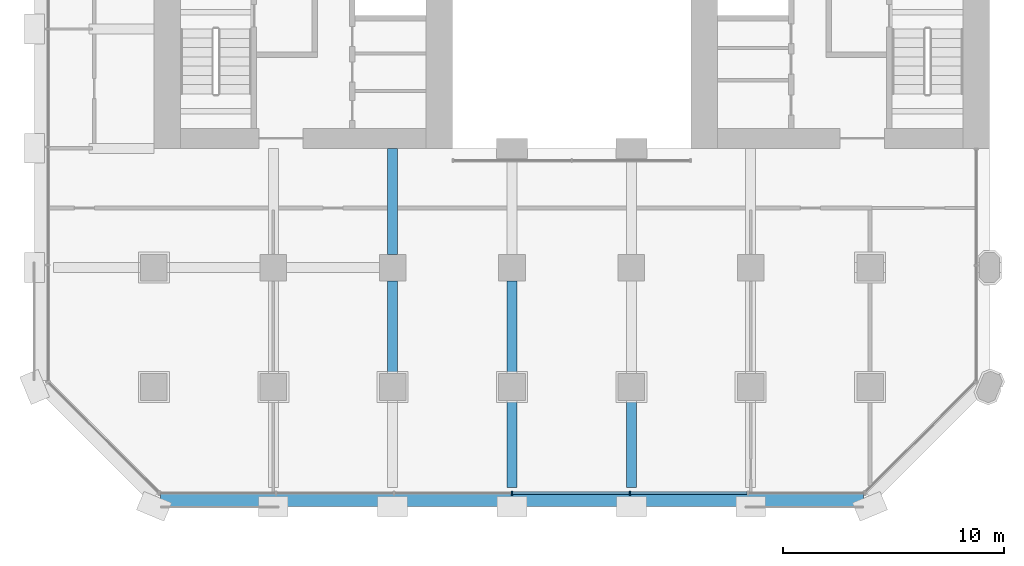
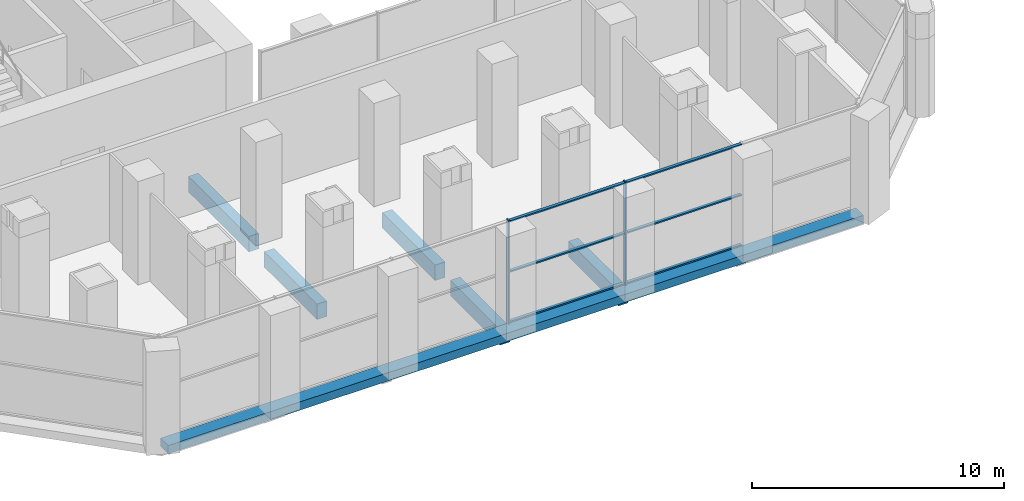
# One storey, part 3 of 27: 8 members, 6 beams, 1 element without a shape of its own.
"""IFC4 building model written with IfcOpenShell, lengths in metres."""

from ifc_helpers import new_model, si_unit, direction, frame, origin, origin_2d, place, context, subcontext, project, spatial, rectangle, extrude, material, material_profile, profile_set, type_object, element, aggregate, save


model = new_model("IFC4")

# Units and contexts
model_context = context("Model", 3, precision=1e-05, world=origin(), true_north=direction((0.0, 1.0)))
body_context = subcontext(model_context, "Body", "Model", "MODEL_VIEW")
ifc_project = project(units=[si_unit("LENGTHUNIT", "METRE"), si_unit("AREAUNIT", "SQUARE_METRE"), si_unit("VOLUMEUNIT", "CUBIC_METRE"), si_unit("PLANEANGLEUNIT", "RADIAN"), si_unit("MASSUNIT", "GRAM", prefix="KILO")], contexts=[model_context])

# Site, building, storey
site_placement = place(None, origin())
site = spatial("IfcSite", under=ifc_project, at=site_placement, CompositionType="ELEMENT")
building_placement = place(site_placement, origin())
building = spatial("IfcBuilding", under=site, at=building_placement, Name="Tabaq Tower and Sports Hall", CompositionType="ELEMENT")
storey_placement = place(building_placement, frame((0.0, 0.0, 14.39990234375)))
storey = spatial("IfcBuildingStorey", under=building, at=storey_placement, Name="L02", CompositionType="ELEMENT", Elevation=14.39990234375)

# Curtain wall, members
ifc_material_1 = material(Name="Aluminium alloy 6063-T6 framed glazing", Category="aluminium")
curtain_wall_type = type_object("IfcCurtainWallType", Name="CW7 curtain wall", PredefinedType="USERDEFINED", material=ifc_material_1)
curtain_wall_placement = place(storey_placement, origin())
curtain_wall = element("IfcCurtainWall", 1, at=curtain_wall_placement, inside=storey, type_object=curtain_wall_type, Name="Podium Wall L02 S", ObjectType="PODIUM WALL", PredefinedType="USERDEFINED")
ifc_material_2 = material(Name="Aluminium alloy 6063-T6", Category="aluminium")
ifc_material_profile_1 = material_profile(ifc_material_2, rectangle(XDim=0.179931640625, YDim=0.06494140625, at=origin_2d()), Name="MULLION 180x65")
ifc_profile_set_1 = profile_set([ifc_material_profile_1], Name="Aluminium alloy 6063-T6")
member_type_1 = type_object("IfcMemberType", Name="CW7 mullion 180x65", PredefinedType="MULLION", material=ifc_profile_set_1)
member_1_placement = place(storey_placement, frame((21.60009765625, 0.60009765625, 0.0), z_axis=(0.0, 0.0, 1.0), x_axis=(0.0, 1.0, 0.0)))
member_1 = element("IfcMember", 2, at=member_1_placement, type_object=member_type_1, Name="CW7 mullion 4", PredefinedType="MULLION", context=body_context, shape_type="SweptSolid", body=[
    extrude(rectangle(XDim=0.179931640625, YDim=0.06494140625, at=origin_2d()), origin(), (0.0, 0.0, 1.0), 5.0),
])
member_2_placement = place(storey_placement, frame((26.93798828125, 0.60009765625, 0.0), z_axis=(0.0, 0.0, 1.0), x_axis=(0.0, 1.0, 0.0)))
member_2 = element("IfcMember", 3, at=member_2_placement, type_object=member_type_1, Name="CW7 mullion 5", PredefinedType="MULLION", context=body_context, shape_type="SweptSolid", body=[
    extrude(rectangle(XDim=0.179931640625, YDim=0.06494140625, at=origin_2d()), origin(), (0.0, 0.0, 1.0), 5.0),
])
ifc_material_3 = material(Name="Aluminium alloy 6063-T6", Category="aluminium")
ifc_material_profile_2 = material_profile(ifc_material_3, rectangle(XDim=0.139892578125, YDim=0.06494140625, at=origin_2d()), Name="TRANSOM 140x65")
ifc_profile_set_2 = profile_set([ifc_material_profile_2], Name="Aluminium alloy 6063-T6")
member_type_2 = type_object("IfcMemberType", Name="CW7 transom 140x65", PredefinedType="USERDEFINED", material=ifc_profile_set_2)
member_3_placement = place(storey_placement, frame((21.632568359375, 0.60009765625, 0.070068359375), z_axis=(1.0, 0.0, 0.0), x_axis=(0.0, 1.0, 0.0)))
member_3 = element("IfcMember", 4, at=member_3_placement, type_object=member_type_2, Name="CW7 transom 4.1", ObjectType="TRANSOM", PredefinedType="USERDEFINED", context=body_context, shape_type="SweptSolid", body=[
    extrude(rectangle(XDim=0.139892578125, YDim=0.06494140625, at=origin_2d()), origin(), (0.0, 0.0, 1.0), 5.272705078125),
])
member_4_placement = place(storey_placement, frame((21.632568359375, 0.60009765625, 2.5), z_axis=(1.0, 0.0, 0.0), x_axis=(0.0, 1.0, 0.0)))
member_4 = element("IfcMember", 5, at=member_4_placement, type_object=member_type_2, Name="CW7 transom 4.2", ObjectType="TRANSOM", PredefinedType="USERDEFINED", context=body_context, shape_type="SweptSolid", body=[
    extrude(rectangle(XDim=0.139892578125, YDim=0.06494140625, at=origin_2d()), origin(), (0.0, 0.0, 1.0), 5.272705078125),
])
member_5_placement = place(storey_placement, frame((21.632568359375, 0.60009765625, 4.93017578125), z_axis=(1.0, 0.0, 0.0), x_axis=(0.0, 1.0, 0.0)))
member_5 = element("IfcMember", 6, at=member_5_placement, type_object=member_type_2, Name="CW7 transom 4.3", ObjectType="TRANSOM", PredefinedType="USERDEFINED", context=body_context, shape_type="SweptSolid", body=[
    extrude(rectangle(XDim=0.139892578125, YDim=0.06494140625, at=origin_2d()), origin(), (0.0, 0.0, 1.0), 5.272705078125),
])
member_6_placement = place(storey_placement, frame((26.970458984375, 0.60009765625, 0.070068359375), z_axis=(1.0, 0.0, 0.0), x_axis=(0.0, 1.0, 0.0)))
member_6 = element("IfcMember", 7, at=member_6_placement, type_object=member_type_2, Name="CW7 transom 5.1", ObjectType="TRANSOM", PredefinedType="USERDEFINED", context=body_context, shape_type="SweptSolid", body=[
    extrude(rectangle(XDim=0.139892578125, YDim=0.06494140625, at=origin_2d()), origin(), (0.0, 0.0, 1.0), 5.272705078125),
])
member_7_placement = place(storey_placement, frame((26.970458984375, 0.60009765625, 2.5), z_axis=(1.0, 0.0, 0.0), x_axis=(0.0, 1.0, 0.0)))
member_7 = element("IfcMember", 8, at=member_7_placement, type_object=member_type_2, Name="CW7 transom 5.2", ObjectType="TRANSOM", PredefinedType="USERDEFINED", context=body_context, shape_type="SweptSolid", body=[
    extrude(rectangle(XDim=0.139892578125, YDim=0.06494140625, at=origin_2d()), origin(), (0.0, 0.0, 1.0), 5.272705078125),
])
member_8_placement = place(storey_placement, frame((26.970458984375, 0.60009765625, 4.93017578125), z_axis=(1.0, 0.0, 0.0), x_axis=(0.0, 1.0, 0.0)))
member_8 = element("IfcMember", 9, at=member_8_placement, type_object=member_type_2, Name="CW7 transom 5.3", ObjectType="TRANSOM", PredefinedType="USERDEFINED", context=body_context, shape_type="SweptSolid", body=[
    extrude(rectangle(XDim=0.139892578125, YDim=0.06494140625, at=origin_2d()), origin(), (0.0, 0.0, 1.0), 5.272705078125),
])
aggregate(curtain_wall, [member_1, member_2, member_3, member_4, member_5, member_6, member_7, member_8])

# Beams
ifc_material_4 = material(Name="Concrete C40/50", Category="concrete")
ifc_material_profile_3 = material_profile(ifc_material_4, rectangle(XDim=0.449951171875, YDim=0.75, at=origin_2d()), Name="CB 450x750")
ifc_profile_set_3 = profile_set([ifc_material_profile_3], Name="Concrete C40/50")
beam_type_1 = type_object("IfcBeamType", Name="PT CANTILEVER BEAM CB 450x750 C40/50", PredefinedType="BEAM", material=ifc_profile_set_3)
beam_1_placement = place(storey_placement, frame((16.199951171875, 6.0, -0.77490234375), z_axis=(0.0, 1.0, 0.0), x_axis=(-1.0, 0.0, 0.0)))
element("IfcBeam", 10, at=beam_1_placement, inside=storey, type_object=beam_type_1, Name="Cantilever Beam L02 S3 span 2", PredefinedType="BEAM", context=body_context, shape_type="SweptSolid", body=[
    extrude(rectangle(XDim=0.449951171875, YDim=0.75, at=origin_2d()), origin(), (0.0, 0.0, 1.0), 4.199951171875),
])
beam_2_placement = place(storey_placement, frame((16.199951171875, 11.39990234375, -0.77490234375), z_axis=(0.0, 1.0, 0.0), x_axis=(-1.0, 0.0, 0.0)))
element("IfcBeam", 11, at=beam_2_placement, inside=storey, type_object=beam_type_1, Name="Cantilever Beam L02 S3 span 3", PredefinedType="BEAM", context=body_context, shape_type="SweptSolid", body=[
    extrude(rectangle(XDim=0.449951171875, YDim=0.75, at=origin_2d()), origin(), (0.0, 0.0, 1.0), 4.800048828125),
])
beam_3_placement = place(storey_placement, frame((21.60009765625, 0.85009765625, -0.77490234375), z_axis=(0.0, 1.0, 0.0), x_axis=(-1.0, 0.0, 0.0)))
element("IfcBeam", 12, at=beam_3_placement, inside=storey, type_object=beam_type_1, Name="Cantilever Beam L02 S4 span 1", PredefinedType="BEAM", context=body_context, shape_type="SweptSolid", body=[
    extrude(rectangle(XDim=0.449951171875, YDim=0.75, at=origin_2d()), origin(), (0.0, 0.0, 1.0), 3.949951171875),
])
beam_4_placement = place(storey_placement, frame((21.60009765625, 6.0, -0.77490234375), z_axis=(0.0, 1.0, 0.0), x_axis=(-1.0, 0.0, 0.0)))
element("IfcBeam", 13, at=beam_4_placement, inside=storey, type_object=beam_type_1, Name="Cantilever Beam L02 S4 span 2", PredefinedType="BEAM", context=body_context, shape_type="SweptSolid", body=[
    extrude(rectangle(XDim=0.449951171875, YDim=0.75, at=origin_2d()), origin(), (0.0, 0.0, 1.0), 4.199951171875),
])
beam_5_placement = place(storey_placement, frame((27.0, 0.85009765625, -0.77490234375), z_axis=(0.0, 1.0, 0.0), x_axis=(-1.0, 0.0, 0.0)))
element("IfcBeam", 14, at=beam_5_placement, inside=storey, type_object=beam_type_1, Name="Cantilever Beam L02 S5 span 1", PredefinedType="BEAM", context=body_context, shape_type="SweptSolid", body=[
    extrude(rectangle(XDim=0.449951171875, YDim=0.75, at=origin_2d()), origin(), (0.0, 0.0, 1.0), 3.949951171875),
])
ifc_material_5 = material(Name="Concrete C40/50", Category="concrete")
ifc_material_profile_4 = material_profile(ifc_material_5, rectangle(XDim=0.60009765625, YDim=0.39990234375, at=origin_2d()), Name="EB 600x400")
ifc_profile_set_4 = profile_set([ifc_material_profile_4], Name="Concrete C40/50")
beam_type_2 = type_object("IfcBeamType", Name="PT EDGE BEAM EB 600x400 C40/50", PredefinedType="SPANDREL", material=ifc_profile_set_4)
beam_6_placement = place(storey_placement, frame((5.698486328125, 0.300048828125, -0.199951171875), z_axis=(1.0, 0.0, 0.0), x_axis=(0.0, 1.0, 0.0)))
element("IfcBeam", 15, at=beam_6_placement, inside=storey, type_object=beam_type_2, Name="Edge Beam L02 1", PredefinedType="SPANDREL", context=body_context, shape_type="SweptSolid", body=[
    extrude(rectangle(XDim=0.60009765625, YDim=0.39990234375, at=origin_2d()), origin(), (0.0, 0.0, 1.0), 31.802978515625),
])

save(model, "model.ifc")
